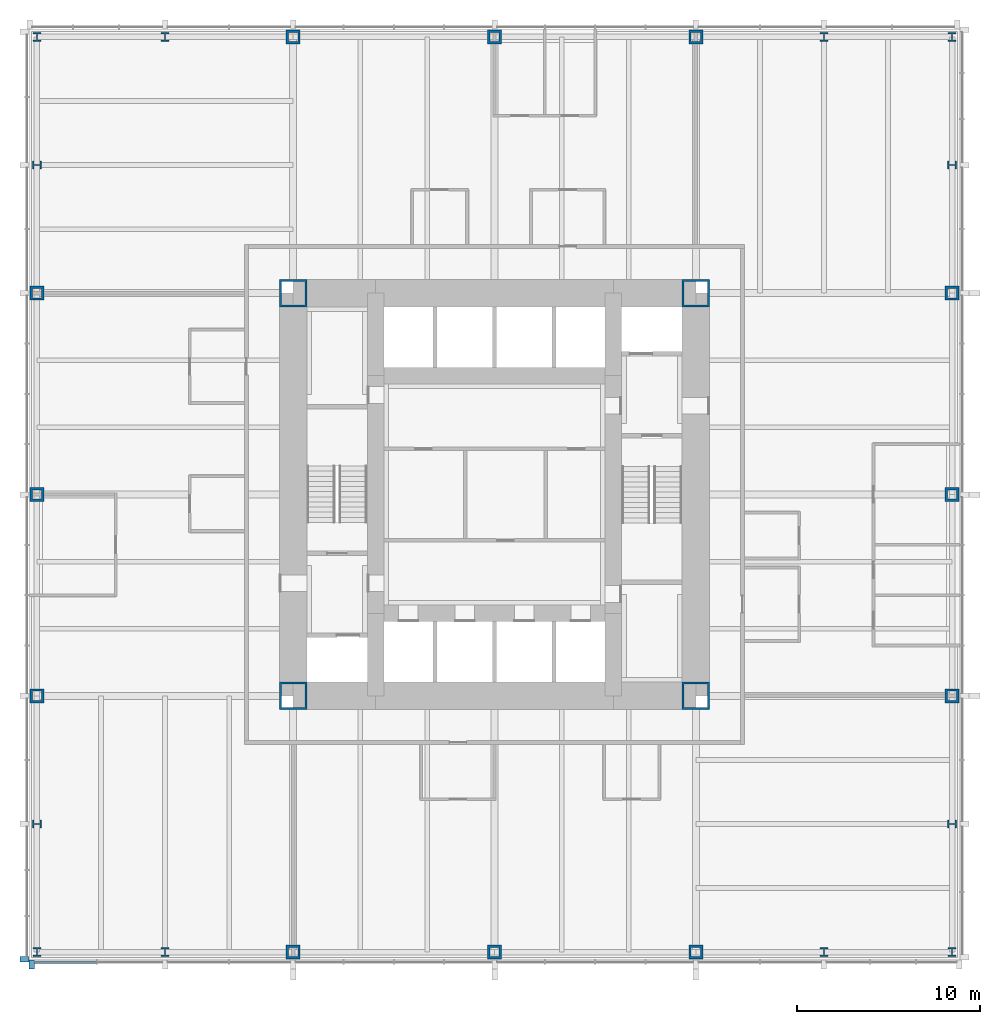
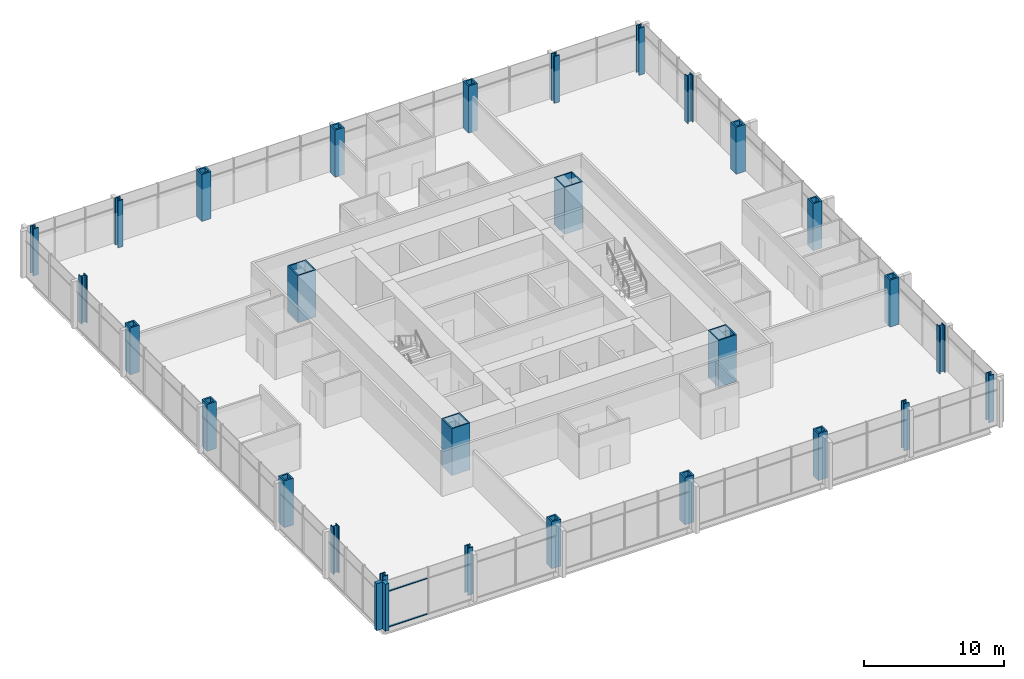
# One storey, part 1 of 12: 28 columns, 4 members, 2 elements without a shape of their own.
"""IFC4 building model written with IfcOpenShell, lengths in metres."""

from ifc_helpers import new_model, si_unit, direction, frame, origin, origin_2d, place, context, subcontext, project, spatial, rectangle, hollow_rectangle, i_section, extrude, material, material_profile, profile_set, type_object, element, aggregate, save


model = new_model("IFC4")

# Units and contexts
model_context = context("Model", 3, precision=1e-05, world=origin(), true_north=direction((0.0, 1.0)))
body_context = subcontext(model_context, "Body", "Model", "MODEL_VIEW")
ifc_project = project(units=[si_unit("LENGTHUNIT", "METRE"), si_unit("AREAUNIT", "SQUARE_METRE"), si_unit("VOLUMEUNIT", "CUBIC_METRE"), si_unit("PLANEANGLEUNIT", "RADIAN"), si_unit("MASSUNIT", "GRAM", prefix="KILO")], contexts=[model_context])

# Site, building, storey
site_placement = place(None, origin())
site = spatial("IfcSite", under=ifc_project, at=site_placement, CompositionType="ELEMENT")
building_placement = place(site_placement, origin())
building = spatial("IfcBuilding", under=site, at=building_placement, Name="Trevanion Tower", CompositionType="ELEMENT")
storey_placement = place(building_placement, frame((0.0, 0.0, 24.199951171875)))
storey = spatial("IfcBuildingStorey", under=building, at=storey_placement, Name="L05", CompositionType="ELEMENT", Elevation=24.199951171875)

# Columns
ifc_material_1 = material(Name="Steel ASTM A588 Grade 50", Category="steel")
ifc_material_profile_1 = material_profile(ifc_material_1, hollow_rectangle(XDim=0.761962890625, YDim=0.761962890625, WallThickness=0.126953125, at=origin_2d()), Name="BOX30X30X5")
ifc_profile_set_1 = profile_set([ifc_material_profile_1], Name="Steel ASTM A588 Grade 50")
column_type_1 = type_object("IfcColumnType", Name="C1 BOX30X30X5", PredefinedType="COLUMN", material=ifc_profile_set_1)
for number, where, z_axis, x_axis, name in (
    (1, (-25.0, 0.0, 0.0), (0.0, 0.0, 1.0), (0.0, 1.0, 0.0), "C1 3/H L05"),
    (2, (-25.0, -11.0, 0.0), (0.0, 0.0, 1.0), (0.0, 1.0, 0.0), "C1 3/F L05"),
    (3, (-11.0, -25.0, 0.0), (0.0, 0.0, 1.0), (1.0, 0.0, 0.0), "C1 8/A L05"),
    (4, (0.0, -25.0, 0.0), (0.0, 0.0, 1.0), (1.0, 0.0, 0.0), "C1 10/A L05"),
    (5, (11.0, -25.0, 0.0), (0.0, 0.0, 1.0), (1.0, 0.0, 0.0), "C1 12/A L05"),
    (6, (25.0, -11.0, 0.0), (0.0, 0.0, 1.0), (0.0, 1.0, 0.0), "C1 17/F L05"),
    (7, (25.0, 0.0, 0.0), (0.0, 0.0, 1.0), (0.0, 1.0, 0.0), "C1 17/H L05"),
    (8, (25.0, 11.0, 0.0), (0.0, 0.0, 1.0), (0.0, 1.0, 0.0), "C1 17/K L05"),
    (9, (11.0, 25.0, 0.0), (0.0, 0.0, 1.0), (1.0, 0.0, 0.0), "C1 12/Q L05"),
    (10, (0.0, 25.0, 0.0), (0.0, 0.0, 1.0), (1.0, 0.0, 0.0), "C1 10/Q L05"),
    (11, (-11.0, 25.0, 0.0), (0.0, 0.0, 1.0), (1.0, 0.0, 0.0), "C1 8/Q L05"),
    (12, (-25.0, 11.0, 0.0), (0.0, 0.0, 1.0), (0.0, 1.0, 0.0), "C1 3/K L05"),
):
    element("IfcColumn", number, at=place(storey_placement, frame(where, z_axis=z_axis, x_axis=x_axis)), inside=storey, type_object=column_type_1, Name=name, PredefinedType="COLUMN", context=body_context, shape_type="SweptSolid", body=[
        extrude(hollow_rectangle(XDim=0.761962890625, YDim=0.761962890625, WallThickness=0.126953125, at=origin_2d()), origin(), (0.0, 0.0, 1.0), 4.10009765625),
    ])
ifc_material_2 = material(Name="Steel ASTM A913 Grade 65", Category="steel")
ifc_material_profile_2 = material_profile(ifc_material_2, i_section(OverallWidth=0.4267578125, OverallDepth=0.482666015625, WebThickness=0.05126953125, FlangeThickness=0.08154296875, at=origin_2d()), Name="W14X455")
ifc_profile_set_2 = profile_set([ifc_material_profile_2], Name="Steel ASTM A913 Grade 65")
column_type_2 = type_object("IfcColumnType", Name="C2 W14X455", PredefinedType="COLUMN", material=ifc_profile_set_2)
for number, where, z_axis, x_axis, name in (
    (13, (-25.0, -18.0, 0.0), (0.0, 0.0, 1.0), (0.0, 1.0, 0.0), "C2 3/D L05"),
    (14, (-25.0, -25.0, 0.0), (0.0, 0.0, 1.0), (1.0, 0.0, 0.0), "C2 3/A L05"),
    (15, (-18.0, -25.0, 0.0), (0.0, 0.0, 1.0), (1.0, 0.0, 0.0), "C2 6/A L05"),
    (16, (18.0, -25.0, 0.0), (0.0, 0.0, 1.0), (1.0, 0.0, 0.0), "C2 14/A L05"),
    (17, (25.0, -25.0, 0.0), (0.0, 0.0, 1.0), (1.0, 0.0, 0.0), "C2 17/A L05"),
    (18, (25.0, -18.0, 0.0), (0.0, 0.0, 1.0), (0.0, 1.0, 0.0), "C2 17/D L05"),
    (19, (25.0, 18.0, 0.0), (0.0, 0.0, 1.0), (0.0, 1.0, 0.0), "C2 17/M L05"),
    (20, (25.0, 25.0, 0.0), (0.0, 0.0, 1.0), (1.0, 0.0, 0.0), "C2 17/Q L05"),
    (21, (18.0, 25.0, 0.0), (0.0, 0.0, 1.0), (1.0, 0.0, 0.0), "C2 14/Q L05"),
    (22, (-18.0, 25.0, 0.0), (0.0, 0.0, 1.0), (1.0, 0.0, 0.0), "C2 6/Q L05"),
    (23, (-25.0, 25.0, 0.0), (0.0, 0.0, 1.0), (1.0, 0.0, 0.0), "C2 3/Q L05"),
    (24, (-25.0, 18.0, 0.0), (0.0, 0.0, 1.0), (0.0, 1.0, 0.0), "C2 3/M L05"),
):
    element("IfcColumn", number, at=place(storey_placement, frame(where, z_axis=z_axis, x_axis=x_axis)), inside=storey, type_object=column_type_2, Name=name, PredefinedType="COLUMN", context=body_context, shape_type="SweptSolid", body=[
        extrude(i_section(OverallWidth=0.4267578125, OverallDepth=0.482666015625, WebThickness=0.05126953125, FlangeThickness=0.08154296875, at=origin_2d()), origin(), (0.0, 0.0, 1.0), 4.10009765625),
    ])
ifc_material_3 = material(Name="Steel ASTM A572 Grade 50", Category="steel")
ifc_material_profile_3 = material_profile(ifc_material_3, hollow_rectangle(XDim=1.49853515625, YDim=1.49853515625, WallThickness=0.1015625, at=origin_2d()), Name="BOX59X59X4")
ifc_profile_set_3 = profile_set([ifc_material_profile_3], Name="Steel ASTM A572 Grade 50")
column_type_3 = type_object("IfcColumnType", Name="CB1 BOX59X59X4", PredefinedType="COLUMN", material=ifc_profile_set_3)
for number, where, z_axis, x_axis, name in (
    (25, (11.0, 11.0, 0.0), (0.0, 0.0, 1.0), (1.0, 0.0, 0.0), "CB1 NE L05"),
    (26, (-11.0, 11.0, 0.0), (0.0, 0.0, 1.0), (1.0, 0.0, 0.0), "CB1 NW L05"),
    (27, (-11.0, -11.0, 0.0), (0.0, 0.0, 1.0), (1.0, 0.0, 0.0), "CB1 SW L05"),
    (28, (11.0, -11.0, 0.0), (0.0, 0.0, 1.0), (1.0, 0.0, 0.0), "CB1 SE L05"),
):
    element("IfcColumn", number, at=place(storey_placement, frame(where, z_axis=z_axis, x_axis=x_axis)), inside=storey, type_object=column_type_3, Name=name, PredefinedType="COLUMN", context=body_context, shape_type="SweptSolid", body=[
        extrude(hollow_rectangle(XDim=1.49853515625, YDim=1.49853515625, WallThickness=0.1015625, at=origin_2d()), origin(), (0.0, 0.0, 1.0), 4.10009765625),
    ])

# Curtain wall, member
ifc_material_4 = material(Name="Aluminium and glass", Category="aluminium")
curtain_wall_type = type_object("IfcCurtainWallType", Name="CW1 curtain wall", PredefinedType="USERDEFINED", material=ifc_material_4)
curtain_wall_1_placement = place(storey_placement, origin())
curtain_wall_1 = element("IfcCurtainWall", 29, at=curtain_wall_1_placement, inside=storey, type_object=curtain_wall_type, Name="CW1 L05 2", ObjectType="UNITISED CURTAIN WALL", PredefinedType="USERDEFINED")
ifc_material_5 = material(Name="Aluminium extrusion, anodised bronze", Category="aluminium")
ifc_material_profile_4 = material_profile(ifc_material_5, rectangle(XDim=0.300048828125, YDim=0.5, at=origin_2d()), Name="CW1 pier mullion")
ifc_profile_set_4 = profile_set([ifc_material_profile_4], Name="Aluminium extrusion, anodised bronze")
member_type_1 = type_object("IfcMemberType", Name="CW1 pier mullion", PredefinedType="MULLION", material=ifc_profile_set_4)
member_1_placement = place(storey_placement, frame((-25.675048828125, -25.39990234375, -0.18994140625), z_axis=(0.0, 0.0, 1.0), x_axis=(0.0, -1.0, 0.0)))
member_1 = element("IfcMember", 30, at=member_1_placement, type_object=member_type_1, Name="CW1 pier mullion 18", PredefinedType="MULLION", context=body_context, shape_type="SweptSolid", body=[
    extrude(rectangle(XDim=0.300048828125, YDim=0.5, at=origin_2d()), origin(), (0.0, 0.0, 1.0), 4.10009765625),
])
aggregate(curtain_wall_1, [member_1])

# Curtain wall, members
curtain_wall_2_placement = place(storey_placement, origin())
curtain_wall_2 = element("IfcCurtainWall", 31, at=curtain_wall_2_placement, inside=storey, type_object=curtain_wall_type, Name="CW1 L05 3", ObjectType="UNITISED CURTAIN WALL", PredefinedType="USERDEFINED")
member_2_placement = place(storey_placement, frame((-25.27001953125, -25.675048828125, -0.18994140625), z_axis=(0.0, 0.0, 1.0), x_axis=(1.0, 0.0, 0.0)))
member_2 = element("IfcMember", 32, at=member_2_placement, type_object=member_type_1, Name="CW1 pier mullion 1", PredefinedType="MULLION", context=body_context, shape_type="SweptSolid", body=[
    extrude(rectangle(XDim=0.300048828125, YDim=0.5, at=origin_2d()), origin(), (0.0, 0.0, 1.0), 4.10009765625),
])
ifc_material_6 = material(Name="Aluminium extrusion, anodised bronze", Category="aluminium")
ifc_material_profile_5 = material_profile(ifc_material_6, rectangle(XDim=0.14990234375, YDim=0.074951171875, at=origin_2d()), Name="CW1 transom")
ifc_profile_set_5 = profile_set([ifc_material_profile_5], Name="Aluminium extrusion, anodised bronze")
member_type_2 = type_object("IfcMemberType", Name="CW1 transom", PredefinedType="USERDEFINED", material=ifc_profile_set_5)
member_3_placement = place(storey_placement, frame((-25.1201171875, -25.550048828125, -0.15234375), z_axis=(1.0, 0.0, 0.0), x_axis=(0.0, 1.0, 0.0)))
member_3 = element("IfcMember", 33, at=member_3_placement, type_object=member_type_2, Name="CW1 transom 1.1", ObjectType="TRANSOM", PredefinedType="USERDEFINED", context=body_context, shape_type="SweptSolid", body=[
    extrude(rectangle(XDim=0.14990234375, YDim=0.074951171875, at=origin_2d()), origin(), (0.0, 0.0, 1.0), 3.37255859375),
])
member_4_placement = place(storey_placement, frame((-25.1201171875, -25.550048828125, 2.9599609375), z_axis=(1.0, 0.0, 0.0), x_axis=(0.0, 1.0, 0.0)))
member_4 = element("IfcMember", 34, at=member_4_placement, type_object=member_type_2, Name="CW1 transom 1.2", ObjectType="TRANSOM", PredefinedType="USERDEFINED", context=body_context, shape_type="SweptSolid", body=[
    extrude(rectangle(XDim=0.14990234375, YDim=0.074951171875, at=origin_2d()), origin(), (0.0, 0.0, 1.0), 3.37255859375),
])
aggregate(curtain_wall_2, [member_2, member_3, member_4])

save(model, "model.ifc")
